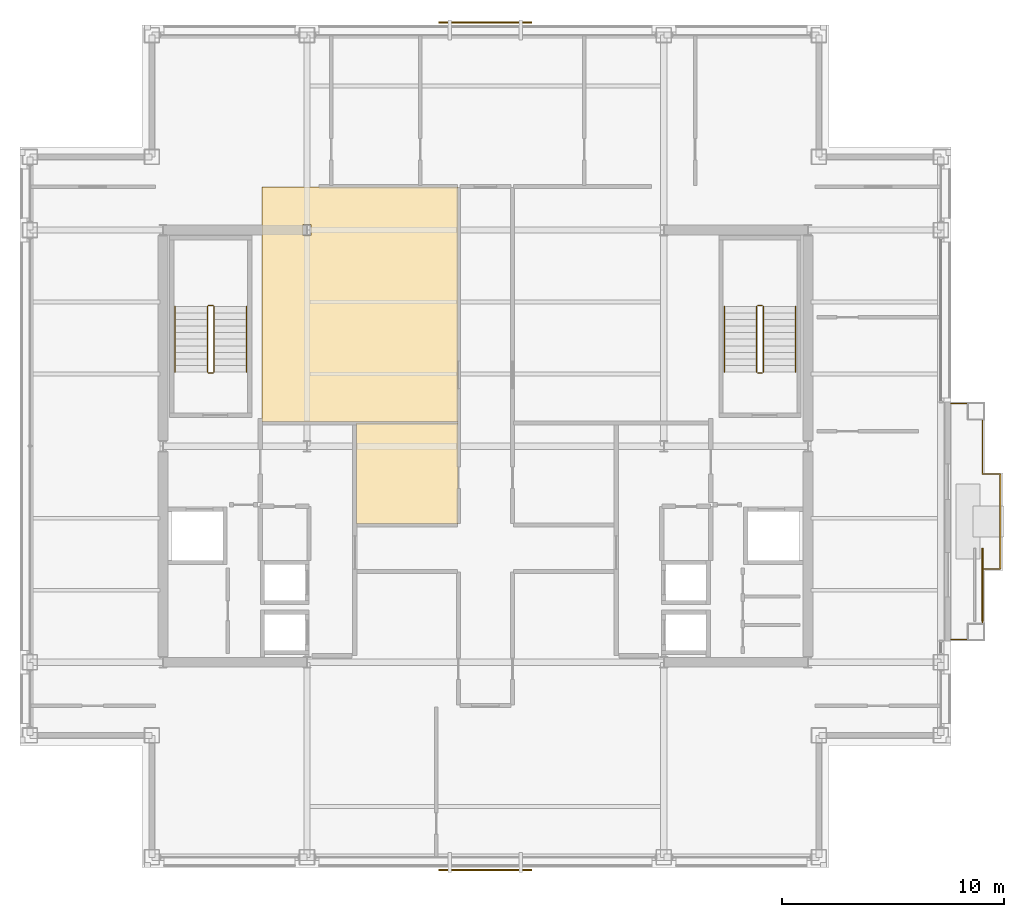
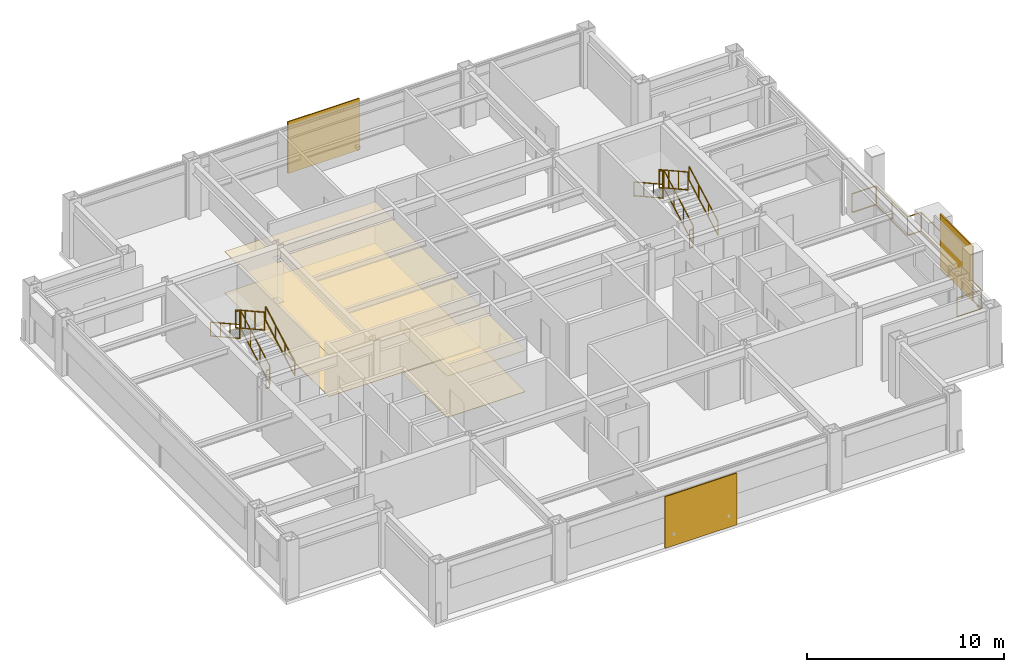
# One storey, part 29 of 30: 13 railings, 4 coverings, 3 shading devices.
"""IFC4 building model written with IfcOpenShell, lengths in metres."""

import ifcopenshell
import ifcopenshell.guid

model = None  # the IFC model being written
_history = None  # IfcOwnerHistory: only IFC2X3 demands one
_inside = {}  # id of a spatial element -> (the spatial element, [elements in it])
_under = {}  # id of a project, library or spatial element -> (it, [spatial elements below it])
_declared = {}  # id of a project -> (the project, [libraries it declares])
_typed = {}  # id of a type object -> (the type object, [elements of that type])
_made_of = {}  # id of a material, layer set ... -> (it, [elements and type objects made of it])


def new_model(schema):
    """Start an empty IFC model of exactly this schema.

    Asked for "IFC4X3", IfcOpenShell would pick the latest addendum, in which some entities
    have other attributes; the version numbers below select the first issue.
    IFC2X3 requires an IfcOwnerHistory on every rooted entity: one is made here for all.
    """
    global model, _history
    if schema == "IFC4X3":
        model = ifcopenshell.file(schema_version=(4, 3, 0, 0))
    else:
        model = ifcopenshell.file(schema=schema)
    _inside.clear()
    _under.clear()
    _declared.clear()
    _typed.clear()
    _made_of.clear()
    _history = None
    if model.schema == "IFC2X3":
        org = make("IfcOrganization", Name="unknown")
        user = make(
            "IfcPersonAndOrganization",
            ThePerson=make("IfcPerson", FamilyName="unknown"),
            TheOrganization=org,
        )
        app = make(
            "IfcApplication",
            ApplicationDeveloper=org,
            Version="unknown",
            ApplicationFullName="unknown",
            ApplicationIdentifier="unknown",
        )
        _history = make(
            "IfcOwnerHistory",
            OwningUser=user,
            OwningApplication=app,
            ChangeAction="ADDED",
            CreationDate=0,
        )
    return model


def make(cls, **values):
    """One entity of the class cls with the attributes given. An attribute that is None is left unset."""
    return model.create_entity(
        cls, **{name: value for name, value in values.items() if value is not None}
    )


def rooted(cls, **values):
    """An entity with a GlobalId (a new one), such as an element, a storey or a relation."""
    return make(cls, GlobalId=ifcopenshell.guid.new(), OwnerHistory=_history, **values)


def si_unit(unit_type, name, prefix=None):
    """IfcSIUnit, for example si_unit("LENGTHUNIT", "METRE", prefix="MILLI")."""
    return make("IfcSIUnit", UnitType=unit_type, Prefix=prefix, Name=name)


def assignment(units):
    """IfcUnitAssignment: the units of a project."""
    return None if units is None else make("IfcUnitAssignment", Units=units)


def point(xyz):
    """IfcCartesianPoint."""
    return None if xyz is None else make("IfcCartesianPoint", Coordinates=xyz)


def direction(xyz):
    """IfcDirection."""
    return None if xyz is None else make("IfcDirection", DirectionRatios=xyz)


def frame(location, z_axis=None, x_axis=None):
    """IfcAxis2Placement3D, a coordinate frame: its origin and axes. An axis left out is left unset."""
    return make(
        "IfcAxis2Placement3D",
        Location=point(location),
        Axis=direction(z_axis),
        RefDirection=direction(x_axis),
    )


def frame_2d(location, x_axis=None):
    """IfcAxis2Placement2D, a coordinate frame in the plane: its origin and x axis."""
    return make(
        "IfcAxis2Placement2D", Location=point(location), RefDirection=direction(x_axis)
    )


def origin():
    """The frame at (0, 0, 0) with its axes left unset."""
    return frame((0.0, 0.0, 0.0))


def origin_2d():
    """The frame at (0, 0) in the plane with its x axis left unset."""
    return frame_2d((0.0, 0.0))


def place(relative_to, where):
    """IfcLocalPlacement: puts the frame where relative to a parent placement (None: the world)."""
    return make(
        "IfcLocalPlacement", PlacementRelTo=relative_to, RelativePlacement=where
    )


def context(
    kind, dimensions, precision=None, world=None, true_north=None, identifier=None
):
    """IfcGeometricRepresentationContext, for example the 3D "Model" context."""
    return make(
        "IfcGeometricRepresentationContext",
        ContextIdentifier=identifier,
        ContextType=kind,
        CoordinateSpaceDimension=dimensions,
        Precision=precision,
        WorldCoordinateSystem=world,
        TrueNorth=true_north,
    )


def subcontext(parent, identifier, kind, view, scale=None):
    """IfcGeometricRepresentationSubContext, for example "Body" below "Model"."""
    return make(
        "IfcGeometricRepresentationSubContext",
        ContextIdentifier=identifier,
        ContextType=kind,
        ParentContext=parent,
        TargetScale=scale,
        TargetView=view,
    )


def project(units=None, contexts=None):
    """IfcProject with its units and contexts."""
    return rooted(
        "IfcProject",
        Name="project",
        RepresentationContexts=contexts,
        UnitsInContext=assignment(units),
    )


def spatial(cls, under=None, at=None, **own):
    """A site, building, storey or space (cls), placed at a placement, below another one or the project."""
    s = rooted(cls, ObjectPlacement=at, **own)
    if under is not None:
        _under.setdefault(under.id(), (under, []))[1].append(s)
    return s


def polyline(points):
    """IfcPolyline through the points."""
    return make("IfcPolyline", Points=[point(p) for p in points])


def profile(cls, at=None, kind="AREA", **sizes):
    """A parametric profile (cls). Its sizes go by their IFC names, for example OverallWidth=200.0."""
    return make(cls, ProfileType=kind, Position=at, **sizes)


def rectangle(**sizes):
    """IfcRectangleProfileDef."""
    return profile("IfcRectangleProfileDef", **sizes)


def outline(outer, holes=None, kind="AREA"):
    """IfcArbitraryClosedProfileDef: a profile drawn as a closed curve; with holes, ...WithVoids."""
    if holes is None:
        return make("IfcArbitraryClosedProfileDef", ProfileType=kind, OuterCurve=outer)
    return make(
        "IfcArbitraryProfileDefWithVoids",
        ProfileType=kind,
        OuterCurve=outer,
        InnerCurves=holes,
    )


def extrude(swept, where, along, depth):
    """IfcExtrudedAreaSolid: the profile swept, set in the frame where, extruded along a direction by depth."""
    return make(
        "IfcExtrudedAreaSolid",
        SweptArea=swept,
        Position=where,
        ExtrudedDirection=direction(along),
        Depth=depth,
    )


def shape(context_of_items, identifier, shape_type, items):
    """IfcShapeRepresentation: the items that make up one representation, for example the "Body"."""
    return make(
        "IfcShapeRepresentation",
        ContextOfItems=context_of_items,
        RepresentationIdentifier=identifier,
        RepresentationType=shape_type,
        Items=items,
    )


def material(Name=None, Category=None):
    """IfcMaterial."""
    return make("IfcMaterial", Name=Name, Category=Category)


def layer(
    of_material, thickness, ventilated=None, Name=None, Category=None, Priority=None
):
    """IfcMaterialLayer: one layer of a wall or slab, of a material (None: an air gap)."""
    return make(
        "IfcMaterialLayer",
        Material=of_material,
        LayerThickness=thickness,
        IsVentilated=ventilated,
        Name=Name,
        Category=Category,
        Priority=Priority,
    )


def layer_set(layers, Name=None):
    """IfcMaterialLayerSet."""
    return make("IfcMaterialLayerSet", MaterialLayers=layers, LayerSetName=Name)


def made_of(thing, what):
    """Note that an element or type object is made of a material, layer set ...; save() writes the relation."""
    if what is not None:
        _made_of.setdefault(what.id(), (what, []))[1].append(thing)
    return thing


def type_object(cls, material=None, **own):
    """A type object (cls), such as IfcWallType, which elements share."""
    return made_of(rooted(cls, **own), material)


def element(
    cls,
    number,
    at=None,
    inside=None,
    cuts=None,
    type_object=None,
    material=None,
    context=None,
    identifier="Body",
    shape_type=None,
    held_by="IfcProductDefinitionShape",
    body=None,
    shapes=None,
    **own,
):
    """One element of the class cls, such as IfcWall. Its Tag is "e" and its number.

    at: its placement. inside: the storey or other place that contains it. cuts: it is an
    opening in that element (IfcRelVoidsElement). A single representation is given by context,
    identifier, shape_type and body (its items); several are given by shapes. held_by: the class
    of the entity that holds the representations. save() writes the other relations.
    """
    e = rooted(cls, Tag="e%d" % number, ObjectPlacement=at, **own)
    if body is not None:
        shapes = [shape(context, identifier, shape_type, body)]
    if shapes is not None:
        e.Representation = make(held_by, Representations=shapes)
    if inside is not None:
        _inside.setdefault(inside.id(), (inside, []))[1].append(e)
    if cuts is not None:
        rooted(
            "IfcRelVoidsElement", RelatingBuildingElement=cuts, RelatedOpeningElement=e
        )
    if type_object is not None:
        _typed.setdefault(type_object.id(), (type_object, []))[1].append(e)
    return made_of(e, material)


def aggregate(whole, parts):
    """IfcRelAggregates: a whole, such as a stair, and the parts it consists of."""
    return rooted("IfcRelAggregates", RelatingObject=whole, RelatedObjects=parts)


def save(model, path):
    """Write the relations noted so far, then the file.

    IfcRelAggregates (storeys below a building ...), IfcRelContainedInSpatialStructure (elements
    in a storey), IfcRelDefinesByType, IfcRelAssociatesMaterial and IfcRelDeclares: one each for
    every whole, place, type object, material and project.
    """
    for whole, parts in _under.values():
        aggregate(whole, parts)
    for where, things in _inside.values():
        rooted(
            "IfcRelContainedInSpatialStructure",
            RelatedElements=things,
            RelatingStructure=where,
        )
    for kind, things in _typed.values():
        rooted("IfcRelDefinesByType", RelatedObjects=things, RelatingType=kind)
    for what, things in _made_of.values():
        rooted("IfcRelAssociatesMaterial", RelatedObjects=things, RelatingMaterial=what)
    for by, libraries in _declared.values():
        rooted("IfcRelDeclares", RelatingContext=by, RelatedDefinitions=libraries)
    model.write(path)


model = new_model("IFC4")

# Units and contexts
model_context = context("Model", 3, precision=1e-05, world=origin(), true_north=direction((0.0, 1.0)))
body_context = subcontext(model_context, "Body", "Model", "MODEL_VIEW")
ifc_project = project(units=[si_unit("LENGTHUNIT", "METRE"), si_unit("AREAUNIT", "SQUARE_METRE"), si_unit("VOLUMEUNIT", "CUBIC_METRE"), si_unit("PLANEANGLEUNIT", "RADIAN"), si_unit("MASSUNIT", "GRAM", prefix="KILO")], contexts=[model_context])

# Site, building, storey
site_placement = place(None, origin())
site = spatial("IfcSite", under=ifc_project, at=site_placement, CompositionType="ELEMENT")
building_placement = place(site_placement, origin())
building = spatial("IfcBuilding", under=site, at=building_placement, Name="Brelmoor Portico Tower", CompositionType="ELEMENT")
storey_placement = place(building_placement, frame((0.0, 0.0, 198.300048828125)))
storey = spatial("IfcBuildingStorey", under=building, at=storey_placement, Name="L52", CompositionType="ELEMENT", Elevation=198.300048828125)

# Coverings
ifc_material_1 = material(Name="Perforated Mineral-Fibre Acoustic Ceiling Tile", Category="gypsum")
ifc_layer_1 = layer(ifc_material_1, 0.02490234375)
ifc_layer_set_1 = layer_set([ifc_layer_1], Name="Perforated Mineral-Fibre Acoustic Ceiling Tile")
covering_type_1 = type_object("IfcCoveringType", Name="CV-CEIL-GYPSUM-25", PredefinedType="CEILING", material=ifc_layer_set_1)
covering_1_placement = place(storey_placement, frame((0.0, 0.0, 2.550048828125)))
element("IfcCovering", 1, at=covering_1_placement, inside=storey, type_object=covering_type_1, Name="L52 Acoustic Suspended Ceiling 01", PredefinedType="CEILING", context=body_context, shape_type="SweptSolid", body=[
    extrude(outline(polyline([(-10.080078125, 11.68994140625), (-1.239990234375, 11.68994140625), (-1.239990234375, 1.090087890625), (-10.080078125, 1.090087890625), (-10.080078125, 11.68994140625)]), holes=[polyline([(-7.875, 9.5), (-7.875, 10.0), (-8.22509765625, 10.0), (-8.22509765625, 9.5), (-7.875, 9.5)])]), origin(), (0.0, 0.0, 1.0), 0.02490234375),
])
ifc_material_2 = material(Name="Micro-Perforated Aluminium Clip-In Ceiling", Category="aluminium")
ifc_layer_2 = layer(ifc_material_2, 0.031982421875)
ifc_layer_set_2 = layer_set([ifc_layer_2], Name="Micro-Perforated Aluminium Clip-In Ceiling")
covering_type_2 = type_object("IfcCoveringType", Name="CV-CEIL-METAL-32", PredefinedType="CEILING", material=ifc_layer_set_2)
covering_2_placement = place(storey_placement, frame((0.0, 0.0, 2.550048828125)))
element("IfcCovering", 2, at=covering_2_placement, inside=storey, type_object=covering_type_2, Name="L52 Acoustic Suspended Ceiling 02", PredefinedType="CEILING", context=body_context, shape_type="SweptSolid", body=[
    extrude(outline(polyline([(-5.820068359375, -3.510009765625), (-5.820068359375, 1.0400390625), (-1.239990234375, 1.0400390625), (-1.239990234375, -3.510009765625), (-5.820068359375, -3.510009765625)])), origin(), (0.0, 0.0, 1.0), 0.031982421875),
])
ifc_material_3 = material(Name="Rectified Vitrified Porcelain Floor Tile", Category="ceramic")
ifc_layer_3 = layer(ifc_material_3, 0.01806640625)
ifc_layer_set_3 = layer_set([ifc_layer_3], Name="Rectified Vitrified Porcelain Floor Tile")
covering_type_3 = type_object("IfcCoveringType", Name="CV-FLR-PORCELAIN-18", PredefinedType="FLOORING", material=ifc_layer_set_3)
covering_3_placement = place(storey_placement, origin())
element("IfcCovering", 3, at=covering_3_placement, inside=storey, type_object=covering_type_3, Name="L52 Architectural Floor Finish 01", PredefinedType="FLOORING", context=body_context, shape_type="SweptSolid", body=[
    extrude(outline(polyline([(-10.080078125, 11.68994140625), (-1.239990234375, 11.68994140625), (-1.239990234375, 1.090087890625), (-10.080078125, 1.090087890625), (-10.080078125, 11.68994140625)]), holes=[polyline([(-7.875, 9.5), (-7.875, 10.0), (-8.22509765625, 10.0), (-8.22509765625, 9.5), (-7.875, 9.5)])]), origin(), (0.0, 0.0, 1.0), 0.01806640625),
])
ifc_material_4 = material(Name="Engineered Quarter-Sawn Oak Parquet Flooring", Category="timber")
ifc_layer_4 = layer(ifc_material_4, 0.02197265625)
ifc_layer_set_4 = layer_set([ifc_layer_4], Name="Engineered Quarter-Sawn Oak Parquet Flooring")
covering_type_4 = type_object("IfcCoveringType", Name="CV-FLR-TIMBER-22", PredefinedType="FLOORING", material=ifc_layer_set_4)
covering_4_placement = place(storey_placement, origin())
element("IfcCovering", 4, at=covering_4_placement, inside=storey, type_object=covering_type_4, Name="L52 Architectural Floor Finish 02", PredefinedType="FLOORING", context=body_context, shape_type="SweptSolid", body=[
    extrude(outline(polyline([(-5.820068359375, -3.510009765625), (-5.820068359375, 1.0400390625), (-1.239990234375, 1.0400390625), (-1.239990234375, -3.510009765625), (-5.820068359375, -3.510009765625)])), origin(), (0.0, 0.0, 1.0), 0.02197265625),
])

# Railings
ifc_material_5 = material(Name="Perforated Pale Champagne Aluminium Fretwork Guard", Category="aluminium")
railing_type_1 = type_object("IfcRailingType", Name="RL-BALUSTRADE-1200", PredefinedType="BALUSTRADE", material=ifc_material_5)
railing_1_placement = place(storey_placement, frame((21.0, -8.719970703125, 0.0)))
element("IfcRailing", 5, at=railing_1_placement, inside=storey, type_object=railing_type_1, Name="L52 Tree Balcony Fretwork Balustrade E", PredefinedType="BALUSTRADE", context=body_context, shape_type="SweptSolid", body=[
    extrude(rectangle(XDim=0.048095703125, YDim=0.048095703125, at=origin_2d()), frame((0.0, 0.0, 1.17578125), z_axis=(1.0, 0.0, 0.0), x_axis=(0.0, 1.0, 0.0)), (0.0, 0.0, 1.0), 1.429931640625),
    extrude(rectangle(XDim=0.048095703125, YDim=0.048095703125, at=origin_2d()), frame((0.0, 0.0, 0.02392578125), z_axis=(1.0, 0.0, 0.0), x_axis=(0.0, 1.0, 0.0)), (0.0, 0.0, 1.0), 1.429931640625),
    extrude(rectangle(XDim=0.048095703125, YDim=0.048095703125, at=origin_2d()), frame((1.429931640625, 0.0, 1.17578125), z_axis=(0.0, 1.0, 0.0), x_axis=(-1.0, 0.0, 0.0)), (0.0, 0.0, 1.0), 3.169921875),
    extrude(rectangle(XDim=0.048095703125, YDim=0.048095703125, at=origin_2d()), frame((1.429931640625, 0.0, 0.02392578125), z_axis=(0.0, 1.0, 0.0), x_axis=(-1.0, 0.0, 0.0)), (0.0, 0.0, 1.0), 3.169921875),
    extrude(rectangle(XDim=0.048095703125, YDim=0.048095703125, at=origin_2d()), frame((1.429931640625, 3.169921875, 1.17578125), z_axis=(1.0, 0.0, 0.0), x_axis=(0.0, 1.0, 0.0)), (0.0, 0.0, 1.0), 0.800048828125),
    extrude(rectangle(XDim=0.048095703125, YDim=0.048095703125, at=origin_2d()), frame((1.429931640625, 3.169921875, 0.02392578125), z_axis=(1.0, 0.0, 0.0), x_axis=(0.0, 1.0, 0.0)), (0.0, 0.0, 1.0), 0.800048828125),
    extrude(rectangle(XDim=0.048095703125, YDim=0.048095703125, at=origin_2d()), frame((2.22998046875, 3.169921875, 1.17578125), z_axis=(0.0, 1.0, 0.0), x_axis=(-1.0, 0.0, 0.0)), (0.0, 0.0, 1.0), 4.300048828125),
    extrude(rectangle(XDim=0.048095703125, YDim=0.048095703125, at=origin_2d()), frame((2.22998046875, 3.169921875, 0.02392578125), z_axis=(0.0, 1.0, 0.0), x_axis=(-1.0, 0.0, 0.0)), (0.0, 0.0, 1.0), 4.300048828125),
    extrude(rectangle(XDim=0.048095703125, YDim=0.048095703125, at=origin_2d()), frame((2.22998046875, 7.469970703125, 1.17578125), z_axis=(-1.0, 0.0, 0.0), x_axis=(0.0, -1.0, 0.0)), (0.0, 0.0, 1.0), 0.800048828125),
    extrude(rectangle(XDim=0.048095703125, YDim=0.048095703125, at=origin_2d()), frame((2.22998046875, 7.469970703125, 0.02392578125), z_axis=(-1.0, 0.0, 0.0), x_axis=(0.0, -1.0, 0.0)), (0.0, 0.0, 1.0), 0.800048828125),
    extrude(rectangle(XDim=0.048095703125, YDim=0.048095703125, at=origin_2d()), frame((1.429931640625, 7.469970703125, 1.17578125), z_axis=(0.0, 1.0, 0.0), x_axis=(-1.0, 0.0, 0.0)), (0.0, 0.0, 1.0), 3.169921875),
    extrude(rectangle(XDim=0.048095703125, YDim=0.048095703125, at=origin_2d()), frame((1.429931640625, 7.469970703125, 0.02392578125), z_axis=(0.0, 1.0, 0.0), x_axis=(-1.0, 0.0, 0.0)), (0.0, 0.0, 1.0), 3.169921875),
    extrude(rectangle(XDim=0.048095703125, YDim=0.048095703125, at=origin_2d()), frame((1.429931640625, 10.639892578125, 1.17578125), z_axis=(-1.0, 0.0, 0.0), x_axis=(0.0, -1.0, 0.0)), (0.0, 0.0, 1.0), 1.429931640625),
    extrude(rectangle(XDim=0.048095703125, YDim=0.048095703125, at=origin_2d()), frame((1.429931640625, 10.639892578125, 0.02392578125), z_axis=(-1.0, 0.0, 0.0), x_axis=(0.0, -1.0, 0.0)), (0.0, 0.0, 1.0), 1.429931640625),
    extrude(rectangle(XDim=0.0419921875, YDim=0.0419921875, at=origin_2d()), origin(), (0.0, 0.0, 1.0), 1.15185546875),
    extrude(rectangle(XDim=0.0419921875, YDim=0.0419921875, at=origin_2d()), frame((1.429931640625, 0.0, 0.0)), (0.0, 0.0, 1.0), 1.15185546875),
    extrude(rectangle(XDim=0.0419921875, YDim=0.0419921875, at=origin_2d()), frame((1.429931640625, 1.5849609375, 0.0)), (0.0, 0.0, 1.0), 1.15185546875),
    extrude(rectangle(XDim=0.0419921875, YDim=0.0419921875, at=origin_2d()), frame((1.429931640625, 3.169921875, 0.0)), (0.0, 0.0, 1.0), 1.15185546875),
    extrude(rectangle(XDim=0.0419921875, YDim=0.0419921875, at=origin_2d()), frame((2.22998046875, 3.169921875, 0.0)), (0.0, 0.0, 1.0), 1.15185546875),
    extrude(rectangle(XDim=0.0419921875, YDim=0.0419921875, at=origin_2d()), frame((2.22998046875, 5.31982421875, 0.0)), (0.0, 0.0, 1.0), 1.15185546875),
    extrude(rectangle(XDim=0.0419921875, YDim=0.0419921875, at=origin_2d()), frame((2.22998046875, 7.469970703125, 0.0)), (0.0, 0.0, 1.0), 1.15185546875),
    extrude(rectangle(XDim=0.0419921875, YDim=0.0419921875, at=origin_2d()), frame((1.429931640625, 7.469970703125, 0.0)), (0.0, 0.0, 1.0), 1.15185546875),
    extrude(rectangle(XDim=0.0419921875, YDim=0.0419921875, at=origin_2d()), frame((1.429931640625, 9.054931640625, 0.0)), (0.0, 0.0, 1.0), 1.15185546875),
    extrude(rectangle(XDim=0.0419921875, YDim=0.0419921875, at=origin_2d()), frame((1.429931640625, 10.639892578125, 0.0)), (0.0, 0.0, 1.0), 1.15185546875),
    extrude(rectangle(XDim=0.0419921875, YDim=0.0419921875, at=origin_2d()), frame((0.0, 10.639892578125, 0.0)), (0.0, 0.0, 1.0), 1.15185546875),
])
ifc_material_6 = material(Name="Painted Tubular Steel Q235B", Category="steel")
railing_type_2 = type_object("IfcRailingType", Name="RL-STAIR-GUARD", PredefinedType="GUARDRAIL", material=ifc_material_6)
railing_2_placement = place(storey_placement, frame((-12.239990234375, 3.35009765625, 0.16357421875)))
element("IfcRailing", 6, at=railing_2_placement, inside=storey, type_object=railing_type_2, Name="L52 ST-W stair guard 1", PredefinedType="GUARDRAIL", context=body_context, shape_type="SweptSolid", body=[
    extrude(rectangle(XDim=0.048095703125, YDim=0.048095703125, at=origin_2d()), frame((0.0, 0.0, 1.1259765625), z_axis=(0.0, 0.874457516365, 0.485102104791), x_axis=(-1.0, 0.0, 0.0)), (0.0, 0.0, 1.0), 3.37353515625),
    extrude(rectangle(XDim=0.048095703125, YDim=0.048095703125, at=origin_2d()), frame((0.0, 0.0, 0.02392578125), z_axis=(0.0, 0.874457516365, 0.485102104791), x_axis=(-1.0, 0.0, 0.0)), (0.0, 0.0, 1.0), 3.37353515625),
    extrude(rectangle(XDim=0.0419921875, YDim=0.0419921875, at=origin_2d()), origin(), (0.0, 0.0, 1.0), 1.101806640625),
    extrude(rectangle(XDim=0.0419921875, YDim=0.0419921875, at=origin_2d()), frame((0.0, 0.9833984375, 0.54541015625)), (0.0, 0.0, 1.0), 1.101806640625),
    extrude(rectangle(XDim=0.0419921875, YDim=0.0419921875, at=origin_2d()), frame((0.0, 1.966552734375, 1.091064453125)), (0.0, 0.0, 1.0), 1.101806640625),
    extrude(rectangle(XDim=0.0419921875, YDim=0.0419921875, at=origin_2d()), frame((0.0, 2.949951171875, 1.636474609375)), (0.0, 0.0, 1.0), 1.101806640625),
])
railing_3_placement = place(storey_placement, frame((-12.2900390625, 6.35009765625, 1.800048828125)))
element("IfcRailing", 7, at=railing_3_placement, inside=storey, type_object=railing_type_2, Name="L52 ST-W stair guard 2", PredefinedType="GUARDRAIL", context=body_context, shape_type="SweptSolid", body=[
    extrude(rectangle(XDim=0.048095703125, YDim=0.048095703125, at=origin_2d()), frame((0.0, 0.0, 1.1259765625), z_axis=(-1.0, 0.0, 0.0), x_axis=(0.0, -1.0, 0.0)), (0.0, 0.0, 1.0), 0.199951171875),
    extrude(rectangle(XDim=0.048095703125, YDim=0.048095703125, at=origin_2d()), frame((0.0, 0.0, 0.02392578125), z_axis=(-1.0, 0.0, 0.0), x_axis=(0.0, -1.0, 0.0)), (0.0, 0.0, 1.0), 0.199951171875),
    extrude(rectangle(XDim=0.0419921875, YDim=0.0419921875, at=origin_2d()), origin(), (0.0, 0.0, 1.0), 1.101806640625),
    extrude(rectangle(XDim=0.0419921875, YDim=0.0419921875, at=origin_2d()), frame((-0.199951171875, 0.0, 0.0)), (0.0, 0.0, 1.0), 1.101806640625),
])
railing_4_placement = place(storey_placement, frame((-12.5400390625, 6.300048828125, 1.963623046875)))
element("IfcRailing", 8, at=railing_4_placement, inside=storey, type_object=railing_type_2, Name="L52 ST-W stair guard 3", PredefinedType="GUARDRAIL", context=body_context, shape_type="SweptSolid", body=[
    extrude(rectangle(XDim=0.048095703125, YDim=0.048095703125, at=origin_2d()), frame((0.0, 0.0, 1.1259765625), z_axis=(0.0, -0.87448821551, 0.485046761595), x_axis=(1.0, 0.0, 0.0)), (0.0, 0.0, 1.0), 3.373291015625),
    extrude(rectangle(XDim=0.048095703125, YDim=0.048095703125, at=origin_2d()), frame((0.0, 0.0, 0.02392578125), z_axis=(0.0, -0.87448821551, 0.485046761595), x_axis=(1.0, 0.0, 0.0)), (0.0, 0.0, 1.0), 3.373291015625),
    extrude(rectangle(XDim=0.0419921875, YDim=0.0419921875, at=origin_2d()), origin(), (0.0, 0.0, 1.0), 1.101806640625),
    extrude(rectangle(XDim=0.0419921875, YDim=0.0419921875, at=origin_2d()), frame((0.0, -0.9833984375, 0.54541015625)), (0.0, 0.0, 1.0), 1.101806640625),
    extrude(rectangle(XDim=0.0419921875, YDim=0.0419921875, at=origin_2d()), frame((0.0, -1.966552734375, 1.0908203125)), (0.0, 0.0, 1.0), 1.101806640625),
    extrude(rectangle(XDim=0.0419921875, YDim=0.0419921875, at=origin_2d()), frame((0.0, -2.949951171875, 1.63623046875)), (0.0, 0.0, 1.0), 1.101806640625),
])
railing_5_placement = place(storey_placement, frame((-12.2900390625, 3.300048828125, 0.0)))
element("IfcRailing", 9, at=railing_5_placement, inside=storey, type_object=railing_type_2, Name="L52 ST-W stair guard 4", PredefinedType="GUARDRAIL", context=body_context, shape_type="SweptSolid", body=[
    extrude(rectangle(XDim=0.048095703125, YDim=0.048095703125, at=origin_2d()), frame((0.0, 0.0, 1.1259765625), z_axis=(-1.0, 0.0, 0.0), x_axis=(0.0, -1.0, 0.0)), (0.0, 0.0, 1.0), 0.199951171875),
    extrude(rectangle(XDim=0.048095703125, YDim=0.048095703125, at=origin_2d()), frame((0.0, 0.0, 0.02392578125), z_axis=(-1.0, 0.0, 0.0), x_axis=(0.0, -1.0, 0.0)), (0.0, 0.0, 1.0), 0.199951171875),
    extrude(rectangle(XDim=0.0419921875, YDim=0.0419921875, at=origin_2d()), origin(), (0.0, 0.0, 1.0), 1.101806640625),
    extrude(rectangle(XDim=0.0419921875, YDim=0.0419921875, at=origin_2d()), frame((-0.199951171875, 0.0, 0.0)), (0.0, 0.0, 1.0), 1.101806640625),
])
railing_6_placement = place(storey_placement, frame((12.5400390625, 3.35009765625, 0.16357421875)))
element("IfcRailing", 10, at=railing_6_placement, inside=storey, type_object=railing_type_2, Name="L52 ST-E stair guard 1", PredefinedType="GUARDRAIL", context=body_context, shape_type="SweptSolid", body=[
    extrude(rectangle(XDim=0.048095703125, YDim=0.048095703125, at=origin_2d()), frame((0.0, 0.0, 1.1259765625), z_axis=(0.0, 0.874457516365, 0.485102104791), x_axis=(-1.0, 0.0, 0.0)), (0.0, 0.0, 1.0), 3.37353515625),
    extrude(rectangle(XDim=0.048095703125, YDim=0.048095703125, at=origin_2d()), frame((0.0, 0.0, 0.02392578125), z_axis=(0.0, 0.874457516365, 0.485102104791), x_axis=(-1.0, 0.0, 0.0)), (0.0, 0.0, 1.0), 3.37353515625),
    extrude(rectangle(XDim=0.0419921875, YDim=0.0419921875, at=origin_2d()), origin(), (0.0, 0.0, 1.0), 1.101806640625),
    extrude(rectangle(XDim=0.0419921875, YDim=0.0419921875, at=origin_2d()), frame((0.0, 0.9833984375, 0.54541015625)), (0.0, 0.0, 1.0), 1.101806640625),
    extrude(rectangle(XDim=0.0419921875, YDim=0.0419921875, at=origin_2d()), frame((0.0, 1.966552734375, 1.091064453125)), (0.0, 0.0, 1.0), 1.101806640625),
    extrude(rectangle(XDim=0.0419921875, YDim=0.0419921875, at=origin_2d()), frame((0.0, 2.949951171875, 1.636474609375)), (0.0, 0.0, 1.0), 1.101806640625),
])
railing_7_placement = place(storey_placement, frame((12.489990234375, 6.35009765625, 1.800048828125)))
element("IfcRailing", 11, at=railing_7_placement, inside=storey, type_object=railing_type_2, Name="L52 ST-E stair guard 2", PredefinedType="GUARDRAIL", context=body_context, shape_type="SweptSolid", body=[
    extrude(rectangle(XDim=0.048095703125, YDim=0.048095703125, at=origin_2d()), frame((0.0, 0.0, 1.1259765625), z_axis=(-1.0, 0.0, 0.0), x_axis=(0.0, -1.0, 0.0)), (0.0, 0.0, 1.0), 0.199951171875),
    extrude(rectangle(XDim=0.048095703125, YDim=0.048095703125, at=origin_2d()), frame((0.0, 0.0, 0.02392578125), z_axis=(-1.0, 0.0, 0.0), x_axis=(0.0, -1.0, 0.0)), (0.0, 0.0, 1.0), 0.199951171875),
    extrude(rectangle(XDim=0.0419921875, YDim=0.0419921875, at=origin_2d()), origin(), (0.0, 0.0, 1.0), 1.101806640625),
    extrude(rectangle(XDim=0.0419921875, YDim=0.0419921875, at=origin_2d()), frame((-0.199951171875, 0.0, 0.0)), (0.0, 0.0, 1.0), 1.101806640625),
])
railing_8_placement = place(storey_placement, frame((12.239990234375, 6.300048828125, 1.963623046875)))
element("IfcRailing", 12, at=railing_8_placement, inside=storey, type_object=railing_type_2, Name="L52 ST-E stair guard 3", PredefinedType="GUARDRAIL", context=body_context, shape_type="SweptSolid", body=[
    extrude(rectangle(XDim=0.048095703125, YDim=0.048095703125, at=origin_2d()), frame((0.0, 0.0, 1.1259765625), z_axis=(0.0, -0.87448821551, 0.485046761595), x_axis=(1.0, 0.0, 0.0)), (0.0, 0.0, 1.0), 3.373291015625),
    extrude(rectangle(XDim=0.048095703125, YDim=0.048095703125, at=origin_2d()), frame((0.0, 0.0, 0.02392578125), z_axis=(0.0, -0.87448821551, 0.485046761595), x_axis=(1.0, 0.0, 0.0)), (0.0, 0.0, 1.0), 3.373291015625),
    extrude(rectangle(XDim=0.0419921875, YDim=0.0419921875, at=origin_2d()), origin(), (0.0, 0.0, 1.0), 1.101806640625),
    extrude(rectangle(XDim=0.0419921875, YDim=0.0419921875, at=origin_2d()), frame((0.0, -0.9833984375, 0.54541015625)), (0.0, 0.0, 1.0), 1.101806640625),
    extrude(rectangle(XDim=0.0419921875, YDim=0.0419921875, at=origin_2d()), frame((0.0, -1.966552734375, 1.0908203125)), (0.0, 0.0, 1.0), 1.101806640625),
    extrude(rectangle(XDim=0.0419921875, YDim=0.0419921875, at=origin_2d()), frame((0.0, -2.949951171875, 1.63623046875)), (0.0, 0.0, 1.0), 1.101806640625),
])
railing_9_placement = place(storey_placement, frame((12.489990234375, 3.300048828125, 0.0)))
element("IfcRailing", 13, at=railing_9_placement, inside=storey, type_object=railing_type_2, Name="L52 ST-E stair guard 4", PredefinedType="GUARDRAIL", context=body_context, shape_type="SweptSolid", body=[
    extrude(rectangle(XDim=0.048095703125, YDim=0.048095703125, at=origin_2d()), frame((0.0, 0.0, 1.1259765625), z_axis=(-1.0, 0.0, 0.0), x_axis=(0.0, -1.0, 0.0)), (0.0, 0.0, 1.0), 0.199951171875),
    extrude(rectangle(XDim=0.048095703125, YDim=0.048095703125, at=origin_2d()), frame((0.0, 0.0, 0.02392578125), z_axis=(-1.0, 0.0, 0.0), x_axis=(0.0, -1.0, 0.0)), (0.0, 0.0, 1.0), 0.199951171875),
    extrude(rectangle(XDim=0.0419921875, YDim=0.0419921875, at=origin_2d()), origin(), (0.0, 0.0, 1.0), 1.101806640625),
    extrude(rectangle(XDim=0.0419921875, YDim=0.0419921875, at=origin_2d()), frame((-0.199951171875, 0.0, 0.0)), (0.0, 0.0, 1.0), 1.101806640625),
])
ifc_material_7 = material(Name="Brushed Stainless Steel 304", Category="steel")
railing_type_3 = type_object("IfcRailingType", Name="RL-STAIR-HANDRAIL", PredefinedType="HANDRAIL", material=ifc_material_7)
railing_10_placement = place(storey_placement, frame((-10.780029296875, 3.35009765625, 0.16357421875)))
element("IfcRailing", 14, at=railing_10_placement, inside=storey, type_object=railing_type_3, Name="L52 ST-W stair handrail 1", PredefinedType="HANDRAIL", context=body_context, shape_type="SweptSolid", body=[
    extrude(rectangle(XDim=0.048095703125, YDim=0.048095703125, at=origin_2d()), frame((0.0, 0.0, 0.8759765625), z_axis=(0.0, 0.874457516365, 0.485102104791), x_axis=(-1.0, 0.0, 0.0)), (0.0, 0.0, 1.0), 3.37353515625),
    extrude(rectangle(XDim=0.048095703125, YDim=0.048095703125, at=origin_2d()), frame((0.0, 0.0, 0.02392578125), z_axis=(0.0, 0.874457516365, 0.485102104791), x_axis=(-1.0, 0.0, 0.0)), (0.0, 0.0, 1.0), 3.37353515625),
    extrude(rectangle(XDim=0.0419921875, YDim=0.0419921875, at=origin_2d()), origin(), (0.0, 0.0, 1.0), 0.851806640625),
    extrude(rectangle(XDim=0.0419921875, YDim=0.0419921875, at=origin_2d()), frame((0.0, 0.9833984375, 0.54541015625)), (0.0, 0.0, 1.0), 0.851806640625),
    extrude(rectangle(XDim=0.0419921875, YDim=0.0419921875, at=origin_2d()), frame((0.0, 1.966552734375, 1.091064453125)), (0.0, 0.0, 1.0), 0.851806640625),
    extrude(rectangle(XDim=0.0419921875, YDim=0.0419921875, at=origin_2d()), frame((0.0, 2.949951171875, 1.636474609375)), (0.0, 0.0, 1.0), 0.851806640625),
])
railing_11_placement = place(storey_placement, frame((-14.0, 6.300048828125, 1.963623046875)))
element("IfcRailing", 15, at=railing_11_placement, inside=storey, type_object=railing_type_3, Name="L52 ST-W stair handrail 2", PredefinedType="HANDRAIL", context=body_context, shape_type="SweptSolid", body=[
    extrude(rectangle(XDim=0.048095703125, YDim=0.048095703125, at=origin_2d()), frame((0.0, 0.0, 0.8759765625), z_axis=(0.0, -0.87448821551, 0.485046761595), x_axis=(1.0, 0.0, 0.0)), (0.0, 0.0, 1.0), 3.373291015625),
    extrude(rectangle(XDim=0.048095703125, YDim=0.048095703125, at=origin_2d()), frame((0.0, 0.0, 0.02392578125), z_axis=(0.0, -0.87448821551, 0.485046761595), x_axis=(1.0, 0.0, 0.0)), (0.0, 0.0, 1.0), 3.373291015625),
    extrude(rectangle(XDim=0.0419921875, YDim=0.0419921875, at=origin_2d()), origin(), (0.0, 0.0, 1.0), 0.851806640625),
    extrude(rectangle(XDim=0.0419921875, YDim=0.0419921875, at=origin_2d()), frame((0.0, -0.9833984375, 0.54541015625)), (0.0, 0.0, 1.0), 0.851806640625),
    extrude(rectangle(XDim=0.0419921875, YDim=0.0419921875, at=origin_2d()), frame((0.0, -1.966552734375, 1.0908203125)), (0.0, 0.0, 1.0), 0.851806640625),
    extrude(rectangle(XDim=0.0419921875, YDim=0.0419921875, at=origin_2d()), frame((0.0, -2.949951171875, 1.63623046875)), (0.0, 0.0, 1.0), 0.851806640625),
])
railing_12_placement = place(storey_placement, frame((14.0, 3.35009765625, 0.16357421875)))
element("IfcRailing", 16, at=railing_12_placement, inside=storey, type_object=railing_type_3, Name="L52 ST-E stair handrail 1", PredefinedType="HANDRAIL", context=body_context, shape_type="SweptSolid", body=[
    extrude(rectangle(XDim=0.048095703125, YDim=0.048095703125, at=origin_2d()), frame((0.0, 0.0, 0.8759765625), z_axis=(0.0, 0.874457516365, 0.485102104791), x_axis=(-1.0, 0.0, 0.0)), (0.0, 0.0, 1.0), 3.37353515625),
    extrude(rectangle(XDim=0.048095703125, YDim=0.048095703125, at=origin_2d()), frame((0.0, 0.0, 0.02392578125), z_axis=(0.0, 0.874457516365, 0.485102104791), x_axis=(-1.0, 0.0, 0.0)), (0.0, 0.0, 1.0), 3.37353515625),
    extrude(rectangle(XDim=0.0419921875, YDim=0.0419921875, at=origin_2d()), origin(), (0.0, 0.0, 1.0), 0.851806640625),
    extrude(rectangle(XDim=0.0419921875, YDim=0.0419921875, at=origin_2d()), frame((0.0, 0.9833984375, 0.54541015625)), (0.0, 0.0, 1.0), 0.851806640625),
    extrude(rectangle(XDim=0.0419921875, YDim=0.0419921875, at=origin_2d()), frame((0.0, 1.966552734375, 1.091064453125)), (0.0, 0.0, 1.0), 0.851806640625),
    extrude(rectangle(XDim=0.0419921875, YDim=0.0419921875, at=origin_2d()), frame((0.0, 2.949951171875, 1.636474609375)), (0.0, 0.0, 1.0), 0.851806640625),
])
railing_13_placement = place(storey_placement, frame((10.780029296875, 6.300048828125, 1.963623046875)))
element("IfcRailing", 17, at=railing_13_placement, inside=storey, type_object=railing_type_3, Name="L52 ST-E stair handrail 2", PredefinedType="HANDRAIL", context=body_context, shape_type="SweptSolid", body=[
    extrude(rectangle(XDim=0.048095703125, YDim=0.048095703125, at=origin_2d()), frame((0.0, 0.0, 0.8759765625), z_axis=(0.0, -0.87448821551, 0.485046761595), x_axis=(1.0, 0.0, 0.0)), (0.0, 0.0, 1.0), 3.373291015625),
    extrude(rectangle(XDim=0.048095703125, YDim=0.048095703125, at=origin_2d()), frame((0.0, 0.0, 0.02392578125), z_axis=(0.0, -0.87448821551, 0.485046761595), x_axis=(1.0, 0.0, 0.0)), (0.0, 0.0, 1.0), 3.373291015625),
    extrude(rectangle(XDim=0.0419921875, YDim=0.0419921875, at=origin_2d()), origin(), (0.0, 0.0, 1.0), 0.851806640625),
    extrude(rectangle(XDim=0.0419921875, YDim=0.0419921875, at=origin_2d()), frame((0.0, -0.9833984375, 0.54541015625)), (0.0, 0.0, 1.0), 0.851806640625),
    extrude(rectangle(XDim=0.0419921875, YDim=0.0419921875, at=origin_2d()), frame((0.0, -1.966552734375, 1.0908203125)), (0.0, 0.0, 1.0), 0.851806640625),
    extrude(rectangle(XDim=0.0419921875, YDim=0.0419921875, at=origin_2d()), frame((0.0, -2.949951171875, 1.63623046875)), (0.0, 0.0, 1.0), 0.851806640625),
])

# Shading devices
ifc_material_8 = material(Name="Powder-Coated Aluminium Shuttered Jalousie", Category="aluminium")
ifc_layer_5 = layer(ifc_material_8, 0.080078125)
ifc_layer_set_5 = layer_set([ifc_layer_5], Name="Powder-Coated Aluminium Shuttered Jalousie")
shading_device_type_1 = type_object("IfcShadingDeviceType", Name="SD-JALOUSIE-LOGGIA", PredefinedType="JALOUSIE", material=ifc_layer_set_5)
shading_device_placement = place(storey_placement, frame((22.429931640625, -6.25, 0.0), z_axis=(0.0, 0.0, 1.0), x_axis=(0.0, 1.0, 0.0)))
element("IfcShadingDevice", 18, at=shading_device_placement, inside=storey, type_object=shading_device_type_1, Name="L52 Loggia Shuttered Jalousie E", PredefinedType="JALOUSIE", context=body_context, shape_type="SweptSolid", body=[
    extrude(rectangle(XDim=3.300048828125, YDim=0.080078125, at=origin_2d()), origin(), (0.0, 0.0, 1.0), 3.39990234375),
])
ifc_material_9 = material(Name="Perforated Pale Champagne Aluminium Solar Screen", Category="aluminium")
ifc_layer_6 = layer(ifc_material_9, 0.06494140625)
ifc_layer_set_6 = layer_set([ifc_layer_6], Name="Perforated Pale Champagne Aluminium Solar Screen")
shading_device_type_2 = type_object("IfcShadingDeviceType", Name="SD-SOLAR-SCREEN", PredefinedType="USERDEFINED", material=ifc_layer_set_6)
for number, where, z_axis, x_axis, name in (
    (19, (0.0, -19.1201171875, 0.10009765625), (0.0, 0.0, 1.0), (1.0, 0.0, 0.0), "L52 Perforated Solar Screen S1"),
    (20, (0.0, 19.1201171875, 0.10009765625), (0.0, 0.0, 1.0), (1.0, 0.0, 0.0), "L52 Perforated Solar Screen N1"),
):
    element("IfcShadingDevice", number, at=place(storey_placement, frame(where, z_axis=z_axis, x_axis=x_axis)), inside=storey, type_object=shading_device_type_2, Name=name, ObjectType="SCREEN", PredefinedType="USERDEFINED", context=body_context, shape_type="SweptSolid", body=[
        extrude(rectangle(XDim=4.199951171875, YDim=0.06494140625, at=origin_2d()), origin(), (0.0, 0.0, 1.0), 3.199951171875),
    ])

save(model, "model.ifc")
